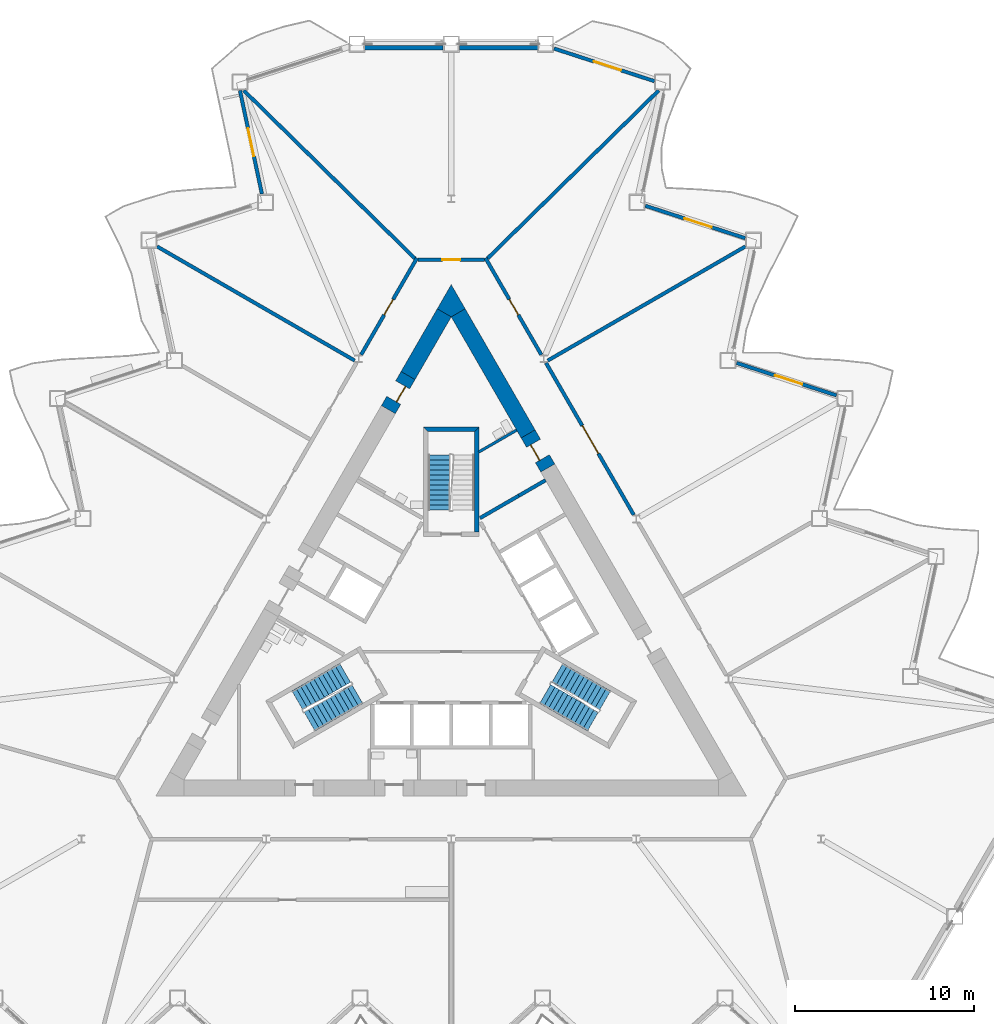
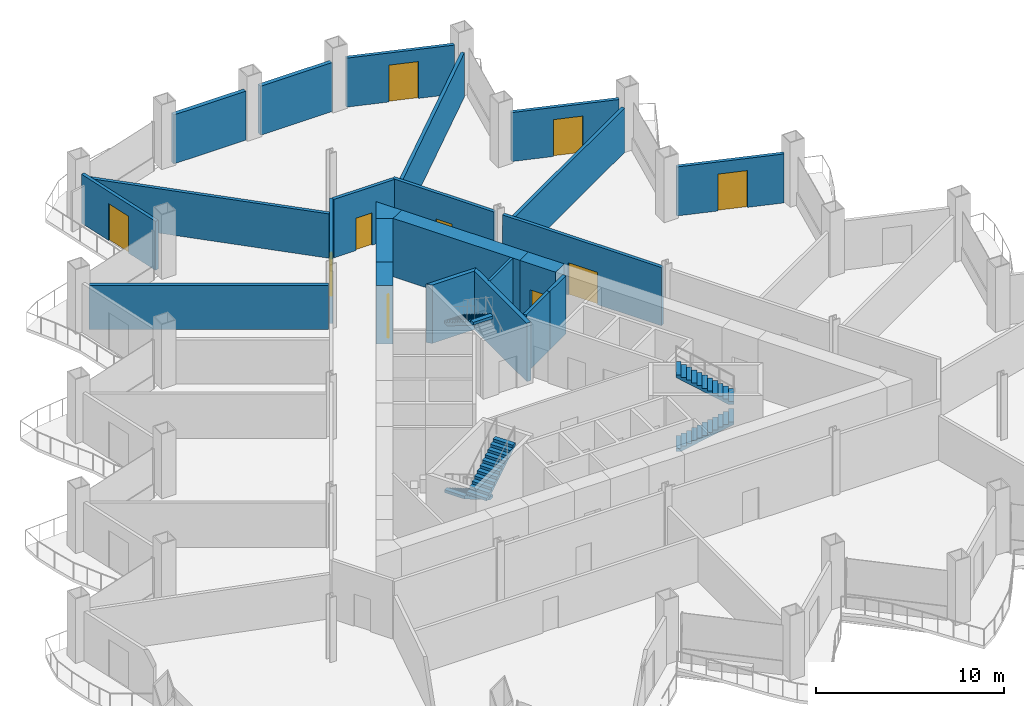
# One storey, part 13 of 21: 24 walls, 10 doors, 5 stair flights, 10 openings, 3 elements without a shape of their own.
"""IFC4 building model written with IfcOpenShell, lengths in metres."""

import ifcopenshell
import ifcopenshell.guid

model = None  # the IFC model being written
_history = None  # IfcOwnerHistory: only IFC2X3 demands one
_inside = {}  # id of a spatial element -> (the spatial element, [elements in it])
_under = {}  # id of a project, library or spatial element -> (it, [spatial elements below it])
_declared = {}  # id of a project -> (the project, [libraries it declares])
_typed = {}  # id of a type object -> (the type object, [elements of that type])
_made_of = {}  # id of a material, layer set ... -> (it, [elements and type objects made of it])


def new_model(schema):
    """Start an empty IFC model of exactly this schema.

    Asked for "IFC4X3", IfcOpenShell would pick the latest addendum, in which some entities
    have other attributes; the version numbers below select the first issue.
    IFC2X3 requires an IfcOwnerHistory on every rooted entity: one is made here for all.
    """
    global model, _history
    if schema == "IFC4X3":
        model = ifcopenshell.file(schema_version=(4, 3, 0, 0))
    else:
        model = ifcopenshell.file(schema=schema)
    _inside.clear()
    _under.clear()
    _declared.clear()
    _typed.clear()
    _made_of.clear()
    _history = None
    if model.schema == "IFC2X3":
        org = make("IfcOrganization", Name="unknown")
        user = make(
            "IfcPersonAndOrganization",
            ThePerson=make("IfcPerson", FamilyName="unknown"),
            TheOrganization=org,
        )
        app = make(
            "IfcApplication",
            ApplicationDeveloper=org,
            Version="unknown",
            ApplicationFullName="unknown",
            ApplicationIdentifier="unknown",
        )
        _history = make(
            "IfcOwnerHistory",
            OwningUser=user,
            OwningApplication=app,
            ChangeAction="ADDED",
            CreationDate=0,
        )
    return model


def make(cls, **values):
    """One entity of the class cls with the attributes given. An attribute that is None is left unset."""
    return model.create_entity(
        cls, **{name: value for name, value in values.items() if value is not None}
    )


def rooted(cls, **values):
    """An entity with a GlobalId (a new one), such as an element, a storey or a relation."""
    return make(cls, GlobalId=ifcopenshell.guid.new(), OwnerHistory=_history, **values)


def si_unit(unit_type, name, prefix=None):
    """IfcSIUnit, for example si_unit("LENGTHUNIT", "METRE", prefix="MILLI")."""
    return make("IfcSIUnit", UnitType=unit_type, Prefix=prefix, Name=name)


def assignment(units):
    """IfcUnitAssignment: the units of a project."""
    return None if units is None else make("IfcUnitAssignment", Units=units)


def point(xyz):
    """IfcCartesianPoint."""
    return None if xyz is None else make("IfcCartesianPoint", Coordinates=xyz)


def direction(xyz):
    """IfcDirection."""
    return None if xyz is None else make("IfcDirection", DirectionRatios=xyz)


def frame(location, z_axis=None, x_axis=None):
    """IfcAxis2Placement3D, a coordinate frame: its origin and axes. An axis left out is left unset."""
    return make(
        "IfcAxis2Placement3D",
        Location=point(location),
        Axis=direction(z_axis),
        RefDirection=direction(x_axis),
    )


def frame_2d(location, x_axis=None):
    """IfcAxis2Placement2D, a coordinate frame in the plane: its origin and x axis."""
    return make(
        "IfcAxis2Placement2D", Location=point(location), RefDirection=direction(x_axis)
    )


def origin():
    """The frame at (0, 0, 0) with its axes left unset."""
    return frame((0.0, 0.0, 0.0))


def place(relative_to, where):
    """IfcLocalPlacement: puts the frame where relative to a parent placement (None: the world)."""
    return make(
        "IfcLocalPlacement", PlacementRelTo=relative_to, RelativePlacement=where
    )


def context(
    kind, dimensions, precision=None, world=None, true_north=None, identifier=None
):
    """IfcGeometricRepresentationContext, for example the 3D "Model" context."""
    return make(
        "IfcGeometricRepresentationContext",
        ContextIdentifier=identifier,
        ContextType=kind,
        CoordinateSpaceDimension=dimensions,
        Precision=precision,
        WorldCoordinateSystem=world,
        TrueNorth=true_north,
    )


def subcontext(parent, identifier, kind, view, scale=None):
    """IfcGeometricRepresentationSubContext, for example "Body" below "Model"."""
    return make(
        "IfcGeometricRepresentationSubContext",
        ContextIdentifier=identifier,
        ContextType=kind,
        ParentContext=parent,
        TargetScale=scale,
        TargetView=view,
    )


def project(units=None, contexts=None):
    """IfcProject with its units and contexts."""
    return rooted(
        "IfcProject",
        Name="project",
        RepresentationContexts=contexts,
        UnitsInContext=assignment(units),
    )


def spatial(cls, under=None, at=None, **own):
    """A site, building, storey or space (cls), placed at a placement, below another one or the project."""
    s = rooted(cls, ObjectPlacement=at, **own)
    if under is not None:
        _under.setdefault(under.id(), (under, []))[1].append(s)
    return s


def polyline(points):
    """IfcPolyline through the points."""
    return make("IfcPolyline", Points=[point(p) for p in points])


def profile(cls, at=None, kind="AREA", **sizes):
    """A parametric profile (cls). Its sizes go by their IFC names, for example OverallWidth=200.0."""
    return make(cls, ProfileType=kind, Position=at, **sizes)


def rectangle(**sizes):
    """IfcRectangleProfileDef."""
    return profile("IfcRectangleProfileDef", **sizes)


def outline(outer, holes=None, kind="AREA"):
    """IfcArbitraryClosedProfileDef: a profile drawn as a closed curve; with holes, ...WithVoids."""
    if holes is None:
        return make("IfcArbitraryClosedProfileDef", ProfileType=kind, OuterCurve=outer)
    return make(
        "IfcArbitraryProfileDefWithVoids",
        ProfileType=kind,
        OuterCurve=outer,
        InnerCurves=holes,
    )


def extrude(swept, where, along, depth):
    """IfcExtrudedAreaSolid: the profile swept, set in the frame where, extruded along a direction by depth."""
    return make(
        "IfcExtrudedAreaSolid",
        SweptArea=swept,
        Position=where,
        ExtrudedDirection=direction(along),
        Depth=depth,
    )


def shape(context_of_items, identifier, shape_type, items):
    """IfcShapeRepresentation: the items that make up one representation, for example the "Body"."""
    return make(
        "IfcShapeRepresentation",
        ContextOfItems=context_of_items,
        RepresentationIdentifier=identifier,
        RepresentationType=shape_type,
        Items=items,
    )


def material(Name=None, Category=None):
    """IfcMaterial."""
    return make("IfcMaterial", Name=Name, Category=Category)


def layer(
    of_material, thickness, ventilated=None, Name=None, Category=None, Priority=None
):
    """IfcMaterialLayer: one layer of a wall or slab, of a material (None: an air gap)."""
    return make(
        "IfcMaterialLayer",
        Material=of_material,
        LayerThickness=thickness,
        IsVentilated=ventilated,
        Name=Name,
        Category=Category,
        Priority=Priority,
    )


def layer_set(layers, Name=None):
    """IfcMaterialLayerSet."""
    return make("IfcMaterialLayerSet", MaterialLayers=layers, LayerSetName=Name)


def made_of(thing, what):
    """Note that an element or type object is made of a material, layer set ...; save() writes the relation."""
    if what is not None:
        _made_of.setdefault(what.id(), (what, []))[1].append(thing)
    return thing


def type_object(cls, material=None, **own):
    """A type object (cls), such as IfcWallType, which elements share."""
    return made_of(rooted(cls, **own), material)


def element(
    cls,
    number,
    at=None,
    inside=None,
    cuts=None,
    type_object=None,
    material=None,
    context=None,
    identifier="Body",
    shape_type=None,
    held_by="IfcProductDefinitionShape",
    body=None,
    shapes=None,
    **own,
):
    """One element of the class cls, such as IfcWall. Its Tag is "e" and its number.

    at: its placement. inside: the storey or other place that contains it. cuts: it is an
    opening in that element (IfcRelVoidsElement). A single representation is given by context,
    identifier, shape_type and body (its items); several are given by shapes. held_by: the class
    of the entity that holds the representations. save() writes the other relations.
    """
    e = rooted(cls, Tag="e%d" % number, ObjectPlacement=at, **own)
    if body is not None:
        shapes = [shape(context, identifier, shape_type, body)]
    if shapes is not None:
        e.Representation = make(held_by, Representations=shapes)
    if inside is not None:
        _inside.setdefault(inside.id(), (inside, []))[1].append(e)
    if cuts is not None:
        rooted(
            "IfcRelVoidsElement", RelatingBuildingElement=cuts, RelatedOpeningElement=e
        )
    if type_object is not None:
        _typed.setdefault(type_object.id(), (type_object, []))[1].append(e)
    return made_of(e, material)


def fill(opening, filler):
    """IfcRelFillsElement: the door or window that sits in an opening."""
    return rooted(
        "IfcRelFillsElement",
        RelatingOpeningElement=opening,
        RelatedBuildingElement=filler,
    )


def aggregate(whole, parts):
    """IfcRelAggregates: a whole, such as a stair, and the parts it consists of."""
    return rooted("IfcRelAggregates", RelatingObject=whole, RelatedObjects=parts)


def save(model, path):
    """Write the relations noted so far, then the file.

    IfcRelAggregates (storeys below a building ...), IfcRelContainedInSpatialStructure (elements
    in a storey), IfcRelDefinesByType, IfcRelAssociatesMaterial and IfcRelDeclares: one each for
    every whole, place, type object, material and project.
    """
    for whole, parts in _under.values():
        aggregate(whole, parts)
    for where, things in _inside.values():
        rooted(
            "IfcRelContainedInSpatialStructure",
            RelatedElements=things,
            RelatingStructure=where,
        )
    for kind, things in _typed.values():
        rooted("IfcRelDefinesByType", RelatedObjects=things, RelatingType=kind)
    for what, things in _made_of.values():
        rooted("IfcRelAssociatesMaterial", RelatedObjects=things, RelatingMaterial=what)
    for by, libraries in _declared.values():
        rooted("IfcRelDeclares", RelatingContext=by, RelatedDefinitions=libraries)
    model.write(path)


model = new_model("IFC4")

# Units and contexts
model_context = context("Model", 3, precision=1e-05, world=origin(), true_north=direction((0.0, 1.0)))
body_context = subcontext(model_context, "Body", "Model", "MODEL_VIEW")
ifc_project = project(units=[si_unit("LENGTHUNIT", "METRE"), si_unit("AREAUNIT", "SQUARE_METRE"), si_unit("VOLUMEUNIT", "CUBIC_METRE"), si_unit("PLANEANGLEUNIT", "RADIAN"), si_unit("MASSUNIT", "GRAM", prefix="KILO")], contexts=[model_context])

# Site, building, storey
site_placement = place(None, origin())
site = spatial("IfcSite", under=ifc_project, at=site_placement, CompositionType="ELEMENT")
building_placement = place(site_placement, origin())
building = spatial("IfcBuilding", under=site, at=building_placement, Name="Cormorant Prow Tower", CompositionType="ELEMENT")
storey_placement = place(building_placement, frame((0.0, 0.0, 137.39990234375)))
storey = spatial("IfcBuildingStorey", under=building, at=storey_placement, Name="L29", CompositionType="ELEMENT", Elevation=137.39990234375)

# Walls
ifc_material_1 = material(Name="Gypsum board partition")
ifc_layer_1 = layer(ifc_material_1, 0.14990234375)
ifc_layer_set_1 = layer_set([ifc_layer_1], Name="Gypsum board partition")
wall_type_1 = type_object("IfcWallType", Name="Core partition 150", PredefinedType="PARTITIONING", material=ifc_layer_set_1)
wall_1_placement = place(storey_placement, frame((3.654296875, 10.923095703125, 0.0), z_axis=(0.0, 0.0, 1.0), x_axis=(-0.865974546186, -0.5000880776, 0.0)))
element("IfcWall", 1, at=wall_1_placement, inside=storey, type_object=wall_type_1, Name="Service room partition", PredefinedType="PARTITIONING", context=body_context, shape_type="SweptSolid", body=[
    extrude(rectangle(XDim=2.44677734375, YDim=0.14990234375, at=frame_2d((1.223388671875, 0.0))), origin(), (0.0, 0.0, 1.0), 3.800048828125),
])
ifc_material_2 = material(Name="Concrete 8000 psi", Category="concrete")
ifc_layer_2 = layer(ifc_material_2, 0.89990234375)
ifc_layer_set_2 = layer_set([ifc_layer_2], Name="Concrete 8000 psi")
wall_type_2 = type_object("IfcWallType", Name="Core shear wall 900", PredefinedType="SHEAR", material=ifc_layer_set_2)
wall_2_placement = place(storey_placement, frame((4.2958984375, 10.7119140625, 0.0), z_axis=(0.0, 0.0, 1.0), x_axis=(-0.500011000363, 0.866019052629, 0.0)))
element("IfcWall", 2, at=wall_2_placement, inside=storey, type_object=wall_type_2, Name="Core wall", PredefinedType="SHEAR", context=body_context, shape_type="SweptSolid", body=[
    extrude(rectangle(XDim=7.812255859375, YDim=0.89990234375, at=frame_2d((3.90625, 0.0))), origin(), (0.0, 0.0, 1.0), 3.800048828125),
])
wall_3_placement = place(storey_placement, frame((-0.3896484375, 17.4775390625, 0.0), z_axis=(0.0, 0.0, 1.0), x_axis=(-0.500046330384, -0.865998653272, 0.0)))
element("IfcWall", 3, at=wall_3_placement, inside=storey, type_object=wall_type_2, Name="Core wall", PredefinedType="SHEAR", context=body_context, shape_type="SweptSolid", body=[
    extrude(rectangle(XDim=4.04541015625, YDim=0.89990234375, at=frame_2d((2.022705078125, 0.0))), origin(), (0.0, 0.0, 1.0), 3.800048828125),
])
wall_4_placement = place(storey_placement, origin())
element("IfcWall", 4, at=wall_4_placement, inside=storey, type_object=wall_type_2, Name="Core wall corner", PredefinedType="SHEAR", context=body_context, shape_type="SweptSolid", body=[
    extrude(outline(polyline([(-0.779296875, 17.70263671875), (0.0, 19.052490234375), (0.779296875, 17.70263671875), (0.0, 17.252685546875), (-0.779296875, 17.70263671875)])), origin(), (0.0, 0.0, 1.0), 3.800048828125),
])

# Wall, opening, door
wall_5_placement = place(storey_placement, frame((5.39599609375, 8.806396484375, 0.0), z_axis=(0.0, 0.0, 1.0), x_axis=(-0.499981787252, 0.866035918664, 0.0)))
wall_5 = element("IfcWall", 5, at=wall_5_placement, inside=storey, type_object=wall_type_2, Name="Core wall door panel", PredefinedType="SHEAR", context=body_context, shape_type="SweptSolid", body=[
    extrude(rectangle(XDim=2.2001953125, YDim=0.89990234375, at=frame_2d((1.10009765625, 0.0))), origin(), (0.0, 0.0, 1.0), 3.800048828125),
])
opening_1_placement = place(wall_5_placement, frame((0.60009765625, 0.0, 0.0)))
opening_1 = element("IfcOpeningElement", 6, at=opening_1_placement, cuts=wall_5, Name="Opening L29-C21", PredefinedType="OPENING", context=body_context, shape_type="SweptSolid", body=[
    extrude(rectangle(XDim=1.0, YDim=2.10009765625, at=frame_2d((0.5, 1.050048828125))), frame((0.0, 0.4599609375, 0.0), z_axis=(0.0, -1.0, 0.0), x_axis=(1.0, 0.0, 0.0)), (0.0, 0.0, 1.0), 0.919921875),
])
ifc_material_3 = material(Name="Painted steel", Category="steel")
door_type_1 = type_object("IfcDoorType", Name="Service door 1000x2100", OperationType="NOTDEFINED", PredefinedType="DOOR", material=ifc_material_3)
door_1_placement = place(opening_1_placement, origin())
door_1 = element("IfcDoor", 7, at=door_1_placement, inside=storey, type_object=door_type_1, Name="Core door, Electrical room", OperationType="SINGLE_SWING_RIGHT", OverallHeight=2.10009765625, OverallWidth=1.0, PredefinedType="DOOR", context=body_context, shape_type="SweptSolid", body=[
    extrude(rectangle(XDim=1.0, YDim=2.10009765625, at=frame_2d((0.5, 1.050048828125))), frame((0.0, 0.205078125, 0.0), z_axis=(0.0, -1.0, 0.0), x_axis=(1.0, 0.0, 0.0)), (0.0, 0.0, 1.0), 0.050048828125),
])
fill(opening_1, door_1)

wall_6_placement = place(storey_placement, frame((-2.41259765625, 13.97412109375, 0.0), z_axis=(0.0, 0.0, 1.0), x_axis=(-0.499946605688, -0.86605622881, 0.0)))
wall_6 = element("IfcWall", 8, at=wall_6_placement, inside=storey, type_object=wall_type_2, Name="Core wall door panel", PredefinedType="SHEAR", context=body_context, shape_type="SweptSolid", body=[
    extrude(rectangle(XDim=2.199951171875, YDim=0.89990234375, at=frame_2d((1.10009765625, 0.0))), origin(), (0.0, 0.0, 1.0), 3.800048828125),
])
opening_2_placement = place(wall_6_placement, frame((0.60009765625, 0.0, 0.0)))
opening_2 = element("IfcOpeningElement", 9, at=opening_2_placement, cuts=wall_6, Name="Opening L29-C22", PredefinedType="OPENING", context=body_context, shape_type="SweptSolid", body=[
    extrude(rectangle(XDim=1.0, YDim=2.10009765625, at=frame_2d((0.5, 1.050048828125))), frame((0.0, 0.4599609375, 0.0), z_axis=(0.0, -1.0, 0.0), x_axis=(1.0, 0.0, 0.0)), (0.0, 0.0, 1.0), 0.919921875),
])
door_2_placement = place(opening_2_placement, origin())
door_2 = element("IfcDoor", 10, at=door_2_placement, inside=storey, type_object=door_type_1, Name="Core door, Toilets (men) L29", OperationType="SINGLE_SWING_RIGHT", OverallHeight=2.10009765625, OverallWidth=1.0, PredefinedType="DOOR", context=body_context, shape_type="SweptSolid", body=[
    extrude(rectangle(XDim=1.0, YDim=2.10009765625, at=frame_2d((0.5, 1.050048828125))), frame((0.0, 0.205078125, 0.0), z_axis=(0.0, -1.0, 0.0), x_axis=(1.0, 0.0, 0.0)), (0.0, 0.0, 1.0), 0.050048828125),
])
fill(opening_2, door_2)

ifc_material_4 = material(Name="Gypsum board corridor wall")
ifc_layer_3 = layer(ifc_material_4, 0.199951171875)
ifc_layer_set_3 = layer_set([ifc_layer_3], Name="Gypsum board corridor wall")
wall_type_3 = type_object("IfcWallType", Name="Corridor wall 200", PredefinedType="PARTITIONING", material=ifc_layer_set_3)
wall_7_placement = place(storey_placement, frame((5.29541015625, 14.680419921875, 0.0), z_axis=(0.0, 0.0, 1.0), x_axis=(0.500012035596, -0.866018454918, 0.0)))
wall_7 = element("IfcWall", 11, at=wall_7_placement, inside=storey, type_object=wall_type_3, Name="Corridor wall", PredefinedType="PARTITIONING", context=body_context, shape_type="SweptSolid", body=[
    extrude(rectangle(XDim=9.803466796875, YDim=0.199951171875, at=frame_2d((4.90185546875, 0.0))), origin(), (0.0, 0.0, 1.0), 3.800048828125),
])
opening_3_placement = place(wall_7_placement, frame((4.0517578125, 0.0, 0.0)))
opening_3 = element("IfcOpeningElement", 12, at=opening_3_placement, cuts=wall_7, Name="Opening L29-F07", PredefinedType="OPENING", context=body_context, shape_type="SweptSolid", body=[
    extrude(rectangle(XDim=1.800048828125, YDim=2.10009765625, at=frame_2d((0.89990234375, 1.050048828125))), frame((0.0, 0.10986328125, 0.0), z_axis=(0.0, -1.0, 0.0), x_axis=(1.0, 0.0, 0.0)), (0.0, 0.0, 1.0), 0.219970703125),
])
ifc_material_5 = material(Name="Timber door leaf", Category="wood")
door_type_2 = type_object("IfcDoorType", Name="Double door 1800x2100", OperationType="DOUBLE_DOOR_SINGLE_SWING", PredefinedType="DOOR", material=ifc_material_5)
door_3_placement = place(opening_3_placement, origin())
door_3 = element("IfcDoor", 13, at=door_3_placement, inside=storey, type_object=door_type_2, Name="Trading room door", OperationType="DOUBLE_DOOR_SINGLE_SWING", OverallHeight=2.10009765625, OverallWidth=1.800048828125, PredefinedType="DOOR", context=body_context, shape_type="SweptSolid", body=[
    extrude(rectangle(XDim=1.800048828125, YDim=2.10009765625, at=frame_2d((0.89990234375, 1.050048828125))), frame((0.0, 0.02490234375, 0.0), z_axis=(0.0, -1.0, 0.0), x_axis=(1.0, 0.0, 0.0)), (0.0, 0.0, 1.0), 0.050048828125),
])
fill(opening_3, door_3)

wall_8_placement = place(storey_placement, frame((-5.032958984375, 15.13525390625, 0.0), z_axis=(0.0, 0.0, 1.0), x_axis=(0.499980978912, 0.866036385336, 0.0)))
wall_8 = element("IfcWall", 14, at=wall_8_placement, inside=storey, type_object=wall_type_3, Name="Corridor wall", PredefinedType="PARTITIONING", context=body_context, shape_type="SweptSolid", body=[
    extrude(rectangle(XDim=6.239990234375, YDim=0.199951171875, at=frame_2d((3.1201171875, 0.0))), origin(), (0.0, 0.0, 1.0), 3.800048828125),
])
opening_4_placement = place(wall_8_placement, frame((2.569580078125, 0.0, 0.0)))
opening_4 = element("IfcOpeningElement", 15, at=opening_4_placement, cuts=wall_8, Name="Opening L29-F10", PredefinedType="OPENING", context=body_context, shape_type="SweptSolid", body=[
    extrude(rectangle(XDim=1.0, YDim=2.10009765625, at=frame_2d((0.5, 1.050048828125))), frame((0.0, 0.10986328125, 0.0), z_axis=(0.0, -1.0, 0.0), x_axis=(1.0, 0.0, 0.0)), (0.0, 0.0, 1.0), 0.219970703125),
])
ifc_material_6 = material(Name="Timber door leaf", Category="wood")
door_type_3 = type_object("IfcDoorType", Name="Office door 1000x2100", OperationType="NOTDEFINED", PredefinedType="DOOR", material=ifc_material_6)
door_4_placement = place(opening_4_placement, origin())
door_4 = element("IfcDoor", 16, at=door_4_placement, inside=storey, type_object=door_type_3, Name="Co-working room door", OperationType="SINGLE_SWING_RIGHT", OverallHeight=2.10009765625, OverallWidth=1.0, PredefinedType="DOOR", context=body_context, shape_type="SweptSolid", body=[
    extrude(rectangle(XDim=1.0, YDim=2.10009765625, at=frame_2d((0.5, 1.050048828125))), frame((0.0, 0.02490234375, 0.0), z_axis=(0.0, -1.0, 0.0), x_axis=(1.0, 0.0, 0.0)), (0.0, 0.0, 1.0), 0.050048828125),
])
fill(opening_4, door_4)

wall_9_placement = place(storey_placement, frame((1.9130859375, 20.539306640625, 0.0), z_axis=(0.0, 0.0, 1.0), x_axis=(0.499980978912, -0.866036385336, 0.0)))
wall_9 = element("IfcWall", 17, at=wall_9_placement, inside=storey, type_object=wall_type_3, Name="Corridor wall", PredefinedType="PARTITIONING", context=body_context, shape_type="SweptSolid", body=[
    extrude(rectangle(XDim=6.239990234375, YDim=0.199951171875, at=frame_2d((3.1201171875, 0.0))), origin(), (0.0, 0.0, 1.0), 3.800048828125),
])
opening_5_placement = place(wall_9_placement, frame((2.67041015625, 0.0, 0.0)))
opening_5 = element("IfcOpeningElement", 18, at=opening_5_placement, cuts=wall_9, Name="Opening L29-F08", PredefinedType="OPENING", context=body_context, shape_type="SweptSolid", body=[
    extrude(rectangle(XDim=1.0, YDim=2.10009765625, at=frame_2d((0.5, 1.050048828125))), frame((0.0, 0.10986328125, 0.0), z_axis=(0.0, -1.0, 0.0), x_axis=(1.0, 0.0, 0.0)), (0.0, 0.0, 1.0), 0.219970703125),
])
door_5_placement = place(opening_5_placement, origin())
door_5 = element("IfcDoor", 19, at=door_5_placement, inside=storey, type_object=door_type_3, Name="Open-plan office door", OperationType="SINGLE_SWING_RIGHT", OverallHeight=2.10009765625, OverallWidth=1.0, PredefinedType="DOOR", context=body_context, shape_type="SweptSolid", body=[
    extrude(rectangle(XDim=1.0, YDim=2.10009765625, at=frame_2d((0.5, 1.050048828125))), frame((0.0, 0.02490234375, 0.0), z_axis=(0.0, -1.0, 0.0), x_axis=(1.0, 0.0, 0.0)), (0.0, 0.0, 1.0), 0.050048828125),
])
fill(opening_5, door_5)

wall_10_placement = place(storey_placement, frame((-1.863037109375, 20.45263671875, 0.0), z_axis=(0.0, 0.0, 1.0), x_axis=(1.0, 0.0, 0.0)))
wall_10 = element("IfcWall", 20, at=wall_10_placement, inside=storey, type_object=wall_type_3, Name="Corridor wall", PredefinedType="PARTITIONING", context=body_context, shape_type="SweptSolid", body=[
    extrude(rectangle(XDim=3.72607421875, YDim=0.199951171875, at=frame_2d((1.863037109375, 0.0))), origin(), (0.0, 0.0, 1.0), 3.800048828125),
])
opening_6_placement = place(wall_10_placement, frame((1.363037109375, 0.0, 0.0)))
opening_6 = element("IfcOpeningElement", 21, at=opening_6_placement, cuts=wall_10, Name="Opening L29-F09", PredefinedType="OPENING", context=body_context, shape_type="SweptSolid", body=[
    extrude(rectangle(XDim=1.0, YDim=2.10009765625, at=frame_2d((0.5, 1.050048828125))), frame((0.0, 0.10986328125, 0.0), z_axis=(0.0, -1.0, 0.0), x_axis=(1.0, 0.0, 0.0)), (0.0, 0.0, 1.0), 0.219970703125),
])
door_6_placement = place(opening_6_placement, origin())
door_6 = element("IfcDoor", 22, at=door_6_placement, inside=storey, type_object=door_type_3, Name="Tenant suite door", OperationType="SINGLE_SWING_RIGHT", OverallHeight=2.10009765625, OverallWidth=1.0, PredefinedType="DOOR", context=body_context, shape_type="SweptSolid", body=[
    extrude(rectangle(XDim=1.0, YDim=2.10009765625, at=frame_2d((0.5, 1.050048828125))), frame((0.0, 0.02490234375, 0.0), z_axis=(0.0, -1.0, 0.0), x_axis=(1.0, 0.0, 0.0)), (0.0, 0.0, 1.0), 0.050048828125),
])
fill(opening_6, door_6)

# Walls
ifc_material_7 = material(Name="Gypsum board demising wall")
ifc_layer_4 = layer(ifc_material_7, 0.199951171875)
ifc_layer_set_4 = layer_set([ifc_layer_4], Name="Gypsum board demising wall")
wall_type_4 = type_object("IfcWallType", Name="Demising wall 200", PredefinedType="PARTITIONING", material=ifc_layer_set_4)
for number, where, z_axis, x_axis, name in (
    (23, (2.034423828125, 20.522705078125, 0.0), (0.0, 0.0, 1.0), (0.713664516359, 0.700487657343, 0.0), "Demising wall"),
    (24, (-11.594482421875, 29.90625, 0.0), (0.0, 0.0, 1.0), (0.713664516359, -0.700487657343, 0.0), "Demising wall"),
):
    element("IfcWall", number, at=place(storey_placement, frame(where, z_axis=z_axis, x_axis=x_axis)), inside=storey, type_object=wall_type_4, Name=name, PredefinedType="PARTITIONING", context=body_context, shape_type="SweptSolid", body=[
        extrude(rectangle(XDim=13.395751953125, YDim=0.199951171875, at=frame_2d((6.69775390625, 0.0))), origin(), (0.0, 0.0, 1.0), 2.885498046875),
    ])
for number, where, z_axis, x_axis, name in (
    (25, (5.3916015625, 14.808837890625, 0.0), (0.0, 0.0, 1.0), (0.866023321739, 0.500003606191, 0.0), "Demising wall"),
    (26, (-16.436279296875, 21.185546875, 0.0), (0.0, 0.0, 1.0), (0.866023321739, -0.500003606191, 0.0), "Demising wall"),
):
    element("IfcWall", number, at=place(storey_placement, frame(where, z_axis=z_axis, x_axis=x_axis)), inside=storey, type_object=wall_type_4, Name=name, PredefinedType="PARTITIONING", context=body_context, shape_type="SweptSolid", body=[
        extrude(rectangle(XDim=12.75341796875, YDim=0.199951171875, at=frame_2d((6.376708984375, 0.0))), origin(), (0.0, 0.0, 1.0), 2.885498046875),
    ])
ifc_material_8 = material(Name="Concrete 8000 psi", Category="concrete")
ifc_layer_5 = layer(ifc_material_8, 0.199951171875)
ifc_layer_set_5 = layer_set([ifc_layer_5], Name="Concrete 8000 psi")
wall_type_5 = type_object("IfcWallType", Name="Lift shaft wall 200", PredefinedType="SHEAR", material=ifc_layer_set_5)
wall_11_placement = place(storey_placement, origin())
element("IfcWall", 27, at=wall_11_placement, inside=storey, type_object=wall_type_5, Name="Lift shaft walls, ENE block", PredefinedType="SHEAR", context=body_context, shape_type="SweptSolid", body=[
    extrude(outline(polyline([(1.560546875, 6.09716796875), (3.730712890625, 7.35009765625), (3.830810546875, 7.177001953125), (1.660400390625, 5.923828125), (1.560546875, 6.09716796875)])), origin(), (0.0, 0.0, 1.0), 3.800048828125),
])
wall_12_placement = place(storey_placement, frame((3.78076171875, 7.263427734375, 0.0), z_axis=(0.0, 0.0, 1.0), x_axis=(0.865963414263, 0.500107353632, 0.0)))
element("IfcWall", 28, at=wall_12_placement, inside=storey, type_object=wall_type_5, Name="Store side wall", PredefinedType="SHEAR", context=body_context, shape_type="SweptSolid", body=[
    extrude(rectangle(XDim=1.72021484375, YDim=0.199951171875, at=frame_2d((0.860107421875, 0.0))), origin(), (0.0, 0.0, 1.0), 3.800048828125),
])
ifc_material_9 = material(Name="Concrete 8000 psi", Category="concrete")
ifc_layer_6 = layer(ifc_material_9, 0.25)
ifc_layer_set_6 = layer_set([ifc_layer_6], Name="Concrete 8000 psi")
wall_type_6 = type_object("IfcWallType", Name="Stair wall 250", PredefinedType="SHEAR", material=ifc_layer_set_6)
wall_13_placement = place(storey_placement, origin())
element("IfcWall", 29, at=wall_13_placement, inside=storey, type_object=wall_type_6, Name="Stair ST3 enclosure wall (flank)", PredefinedType="SHEAR", context=body_context, shape_type="SweptSolid", body=[
    extrude(outline(polyline([(1.5439453125, 5.23681640625), (1.5439453125, 11.0869140625), (1.2939453125, 10.8369140625), (1.2939453125, 5.23681640625), (1.5439453125, 5.23681640625)])), origin(), (0.0, 0.0, 1.0), 3.800048828125),
])
wall_14_placement = place(storey_placement, origin())
element("IfcWall", 30, at=wall_14_placement, inside=storey, type_object=wall_type_6, Name="Stair ST3 enclosure wall (end)", PredefinedType="SHEAR", context=body_context, shape_type="SweptSolid", body=[
    extrude(outline(polyline([(1.5439453125, 11.0869140625), (-1.5439453125, 11.0869140625), (-1.2939453125, 10.8369140625), (1.2939453125, 10.8369140625), (1.5439453125, 11.0869140625)])), origin(), (0.0, 0.0, 1.0), 3.800048828125),
])
ifc_material_10 = material(Name="Terracotta", Category="masonry")
ifc_layer_7 = layer(ifc_material_10, 0.25)
ifc_layer_set_7 = layer_set([ifc_layer_7], Name="Terracotta")
wall_type_7 = type_object("IfcWallType", Name="Terracotta bay wall 250", PredefinedType="SOLIDWALL", material=ifc_layer_set_7)
for number, where, z_axis, x_axis, name in (
    (31, (4.87890625, 32.299072265625, 0.0), (0.0, 0.0, 1.0), (-1.0, 0.0, 0.0), "Terracotta bay wall N00"),
    (32, (-0.449951171875, 32.299072265625, 0.0), (0.0, 0.0, 1.0), (-1.0, 0.0, 0.0), "Terracotta bay wall N01"),
):
    element("IfcWall", number, at=place(storey_placement, frame(where, z_axis=z_axis, x_axis=x_axis)), inside=storey, type_object=wall_type_7, Name=name, PredefinedType="SOLIDWALL", context=body_context, shape_type="SweptSolid", body=[
        extrude(rectangle(XDim=4.428955078125, YDim=0.25, at=frame_2d((2.21435546875, 0.0))), origin(), (0.0, 0.0, 1.0), 3.18896484375),
    ])

# Wall, opening, door
ifc_material_11 = material(Name="Terracotta", Category="masonry")
ifc_layer_8 = layer(ifc_material_11, 0.199951171875)
ifc_layer_set_8 = layer_set([ifc_layer_8], Name="Terracotta")
wall_type_8 = type_object("IfcWallType", Name="Terracotta jamb wall 200", PredefinedType="SOLIDWALL", material=ifc_layer_set_8)
wall_15_placement = place(storey_placement, frame((21.521484375, 12.864990234375, 0.0), z_axis=(0.0, 0.0, 1.0), x_axis=(-0.951049976734, 0.309037120351, 0.0)))
wall_15 = element("IfcWall", 33, at=wall_15_placement, inside=storey, type_object=wall_type_8, Name="Terracotta jamb wall ENE05", PredefinedType="SOLIDWALL", context=body_context, shape_type="SweptSolid", body=[
    extrude(rectangle(XDim=5.8642578125, YDim=0.199951171875, at=frame_2d((2.93212890625, 0.0))), origin(), (0.0, 0.0, 1.0), 3.18896484375),
])
opening_7_placement = place(wall_15_placement, frame((2.005126953125, 0.0, 0.0)))
opening_7 = element("IfcOpeningElement", 34, at=opening_7_placement, cuts=wall_15, Name="Opening ED29.08", PredefinedType="OPENING", context=body_context, shape_type="SweptSolid", body=[
    extrude(rectangle(XDim=1.60009765625, YDim=2.39990234375, at=frame_2d((0.800048828125, 1.199951171875))), frame((0.0, 0.10986328125, 0.0), z_axis=(0.0, -1.0, 0.0), x_axis=(1.0, 0.0, 0.0)), (0.0, 0.0, 1.0), 0.219970703125),
])
ifc_material_12 = material(Name="Aluminium 6063-T6", Category="aluminium")
door_type_4 = type_object("IfcDoorType", Name="Balcony door 1600x2400", OperationType="DOUBLE_DOOR_SINGLE_SWING", PredefinedType="DOOR", material=ifc_material_12)
door_7_placement = place(opening_7_placement, origin())
door_7 = element("IfcDoor", 35, at=door_7_placement, inside=storey, type_object=door_type_4, Name="Balcony door ENE05 ED29.08", OperationType="DOUBLE_DOOR_SINGLE_SWING", OverallHeight=2.39990234375, OverallWidth=1.60009765625, PredefinedType="DOOR", context=body_context, shape_type="SweptSolid", body=[
    extrude(rectangle(XDim=1.60009765625, YDim=2.39990234375, at=frame_2d((0.800048828125, 1.199951171875))), frame((0.0, 0.02490234375, 0.0), z_axis=(0.0, -1.0, 0.0), x_axis=(1.0, 0.0, 0.0)), (0.0, 0.0, 1.0), 0.050048828125),
])
fill(opening_7, door_7)

wall_16_placement = place(storey_placement, frame((16.425048828125, 21.6474609375, 0.0), z_axis=(0.0, 0.0, 1.0), x_axis=(-0.951060665462, 0.309004224261, 0.0)))
wall_16 = element("IfcWall", 36, at=wall_16_placement, inside=storey, type_object=wall_type_8, Name="Terracotta jamb wall ENE07", PredefinedType="SOLIDWALL", context=body_context, shape_type="SweptSolid", body=[
    extrude(rectangle(XDim=5.867919921875, YDim=0.199951171875, at=frame_2d((2.93408203125, 0.0))), origin(), (0.0, 0.0, 1.0), 3.18896484375),
])
opening_8_placement = place(wall_16_placement, frame((1.971435546875, 0.0, 0.0)))
opening_8 = element("IfcOpeningElement", 37, at=opening_8_placement, cuts=wall_16, Name="Opening ED29.09", PredefinedType="OPENING", context=body_context, shape_type="SweptSolid", body=[
    extrude(rectangle(XDim=1.60009765625, YDim=2.39990234375, at=frame_2d((0.800048828125, 1.199951171875))), frame((0.0, 0.10986328125, 0.0), z_axis=(0.0, -1.0, 0.0), x_axis=(1.0, 0.0, 0.0)), (0.0, 0.0, 1.0), 0.219970703125),
])
door_8_placement = place(opening_8_placement, origin())
door_8 = element("IfcDoor", 38, at=door_8_placement, inside=storey, type_object=door_type_4, Name="Balcony door ENE07 ED29.09", OperationType="DOUBLE_DOOR_SINGLE_SWING", OverallHeight=2.39990234375, OverallWidth=1.60009765625, PredefinedType="DOOR", context=body_context, shape_type="SweptSolid", body=[
    extrude(rectangle(XDim=1.60009765625, YDim=2.39990234375, at=frame_2d((0.800048828125, 1.199951171875))), frame((0.0, 0.02490234375, 0.0), z_axis=(0.0, -1.0, 0.0), x_axis=(1.0, 0.0, 0.0)), (0.0, 0.0, 1.0), 0.050048828125),
])
fill(opening_8, door_8)

wall_17_placement = place(storey_placement, frame((11.360595703125, 30.41943359375, 0.0), z_axis=(0.0, 0.0, 1.0), x_axis=(-0.951049866095, 0.309037460836, 0.0)))
wall_17 = element("IfcWall", 39, at=wall_17_placement, inside=storey, type_object=wall_type_8, Name="Terracotta jamb wall ENE09", PredefinedType="SOLIDWALL", context=body_context, shape_type="SweptSolid", body=[
    extrude(rectangle(XDim=5.9052734375, YDim=0.199951171875, at=frame_2d((2.95263671875, 0.0))), origin(), (0.0, 0.0, 1.0), 3.18896484375),
])
opening_9_placement = place(wall_17_placement, frame((1.971435546875, 0.0, 0.0)))
opening_9 = element("IfcOpeningElement", 40, at=opening_9_placement, cuts=wall_17, Name="Opening ED29.10", PredefinedType="OPENING", context=body_context, shape_type="SweptSolid", body=[
    extrude(rectangle(XDim=1.60009765625, YDim=2.39990234375, at=frame_2d((0.800048828125, 1.199951171875))), frame((0.0, 0.10986328125, 0.0), z_axis=(0.0, -1.0, 0.0), x_axis=(1.0, 0.0, 0.0)), (0.0, 0.0, 1.0), 0.219970703125),
])
door_9_placement = place(opening_9_placement, origin())
door_9 = element("IfcDoor", 41, at=door_9_placement, inside=storey, type_object=door_type_4, Name="Balcony door ENE09 ED29.10", OperationType="DOUBLE_DOOR_SINGLE_SWING", OverallHeight=2.39990234375, OverallWidth=1.60009765625, PredefinedType="DOOR", context=body_context, shape_type="SweptSolid", body=[
    extrude(rectangle(XDim=1.60009765625, YDim=2.39990234375, at=frame_2d((0.800048828125, 1.199951171875))), frame((0.0, 0.02490234375, 0.0), z_axis=(0.0, -1.0, 0.0), x_axis=(1.0, 0.0, 0.0)), (0.0, 0.0, 1.0), 0.050048828125),
])
fill(opening_9, door_9)

wall_18_placement = place(storey_placement, frame((-11.80517578125, 29.899658203125, 0.0), z_axis=(0.0, 0.0, 1.0), x_axis=(0.207917562075, -0.978146352741, 0.0)))
wall_18 = element("IfcWall", 42, at=wall_18_placement, inside=storey, type_object=wall_type_8, Name="Terracotta jamb wall WNW01", PredefinedType="SOLIDWALL", context=body_context, shape_type="SweptSolid", body=[
    extrude(rectangle(XDim=5.90869140625, YDim=0.199951171875, at=frame_2d((2.954345703125, 0.0))), origin(), (0.0, 0.0, 1.0), 3.18896484375),
])
opening_10_placement = place(wall_18_placement, frame((2.158447265625, 0.0, 0.0)))
opening_10 = element("IfcOpeningElement", 43, at=opening_10_placement, cuts=wall_18, Name="Opening ED29.11", PredefinedType="OPENING", context=body_context, shape_type="SweptSolid", body=[
    extrude(rectangle(XDim=1.60009765625, YDim=2.39990234375, at=frame_2d((0.800048828125, 1.199951171875))), frame((0.0, 0.10986328125, 0.0), z_axis=(0.0, -1.0, 0.0), x_axis=(1.0, 0.0, 0.0)), (0.0, 0.0, 1.0), 0.219970703125),
])
door_10_placement = place(opening_10_placement, origin())
door_10 = element("IfcDoor", 44, at=door_10_placement, inside=storey, type_object=door_type_4, Name="Balcony door WNW01 ED29.11", OperationType="DOUBLE_DOOR_SINGLE_SWING", OverallHeight=2.39990234375, OverallWidth=1.60009765625, PredefinedType="DOOR", context=body_context, shape_type="SweptSolid", body=[
    extrude(rectangle(XDim=1.60009765625, YDim=2.39990234375, at=frame_2d((0.800048828125, 1.199951171875))), frame((0.0, 0.02490234375, 0.0), z_axis=(0.0, -1.0, 0.0), x_axis=(1.0, 0.0, 0.0)), (0.0, 0.0, 1.0), 0.050048828125),
])
fill(opening_10, door_10)

# Stair, stair flights
ifc_material_13 = material(Name="Exit stair 24 risers")
stair_type = type_object("IfcStairType", Name="Exit stair 24 risers", PredefinedType="HALF_TURN_STAIR", material=ifc_material_13)
stair_1_placement = place(storey_placement, origin())
stair_1 = element("IfcStair", 45, at=stair_1_placement, inside=storey, type_object=stair_type, Name="L29 Exit stair ST1", PredefinedType="HALF_TURN_STAIR")
ifc_material_14 = material(Name="Concrete 5000 psi", Category="concrete")
stair_flight_type = type_object("IfcStairFlightType", Name="Stair flight 1219", PredefinedType="STRAIGHT", material=ifc_material_14)
stair_flight_1_placement = place(storey_placement, frame((-5.93310546875, -2.635009765625, 0.0), z_axis=(0.0, 0.0, 1.0), x_axis=(-0.866025403784, -0.5, 0.0)))
stair_flight_1 = element("IfcStairFlight", 46, at=stair_flight_1_placement, type_object=stair_flight_type, Name="ST1 flight 1", NumberOfRisers=12, NumberOfTreads=11, PredefinedType="STRAIGHT", RiserHeight=0.175, TreadLength=0.28, context=body_context, shape_type="SweptSolid", body=[
    extrude(outline(polyline([(0.0, 0.0), (0.0, 0.175048828125), (0.280029296875, 0.175048828125), (0.280029296875, 0.35009765625), (0.56005859375, 0.35009765625), (0.56005859375, 0.52490234375), (0.840087890625, 0.52490234375), (0.840087890625, 0.699951171875), (1.1201171875, 0.699951171875), (1.1201171875, 0.875), (1.39990234375, 0.875), (1.39990234375, 1.050048828125), (1.679931640625, 1.050048828125), (1.679931640625, 1.22509765625), (1.9599609375, 1.22509765625), (1.9599609375, 1.39990234375), (2.239990234375, 1.39990234375), (2.239990234375, 1.574951171875), (2.52001953125, 1.574951171875), (2.52001953125, 1.75), (2.800048828125, 1.75), (2.800048828125, 1.925048828125), (3.080078125, 1.925048828125), (3.080078125, 2.10009765625), (3.080078125, 1.748291015625), (0.28271484375, 0.0), (0.0, 0.0)])), frame((0.0, 0.609375, 0.0), z_axis=(0.0, -1.0, 0.0), x_axis=(1.0, 0.0, 0.0)), (0.0, 0.0, 1.0), 1.218994140625),
])
stair_flight_2_placement = place(storey_placement, frame((-7.916015625, -5.360595703125, 2.10009765625), z_axis=(0.0, 0.0, 1.0), x_axis=(0.866025403784, 0.5, 0.0)))
stair_flight_2 = element("IfcStairFlight", 47, at=stair_flight_2_placement, type_object=stair_flight_type, Name="ST1 flight 2", NumberOfRisers=12, NumberOfTreads=11, PredefinedType="STRAIGHT", RiserHeight=0.175, TreadLength=0.28, context=body_context, shape_type="SweptSolid", body=[
    extrude(outline(polyline([(0.0, 0.0), (0.0, 0.175048828125), (0.280029296875, 0.175048828125), (0.280029296875, 0.35009765625), (0.56005859375, 0.35009765625), (0.56005859375, 0.52490234375), (0.840087890625, 0.52490234375), (0.840087890625, 0.699951171875), (1.1201171875, 0.699951171875), (1.1201171875, 0.875), (1.39990234375, 0.875), (1.39990234375, 1.050048828125), (1.679931640625, 1.050048828125), (1.679931640625, 1.22509765625), (1.9599609375, 1.22509765625), (1.9599609375, 1.39990234375), (2.239990234375, 1.39990234375), (2.239990234375, 1.574951171875), (2.52001953125, 1.574951171875), (2.52001953125, 1.75), (2.800048828125, 1.75), (2.800048828125, 1.925048828125), (3.080078125, 1.925048828125), (3.080078125, 2.10009765625), (3.080078125, 1.748291015625), (0.28271484375, 0.0), (0.0, 0.0)])), frame((0.0, 0.609375, 0.0), z_axis=(0.0, -1.0, 0.0), x_axis=(1.0, 0.0, 0.0)), (0.0, 0.0, 1.0), 1.218994140625),
])
aggregate(stair_1, [stair_flight_1, stair_flight_2])

stair_2_placement = place(storey_placement, origin())
stair_2 = element("IfcStair", 48, at=stair_2_placement, inside=storey, type_object=stair_type, Name="L29 Exit stair ST2", PredefinedType="HALF_TURN_STAIR")
stair_flight_3_placement = place(storey_placement, frame((5.24853515625, -3.82080078125, 0.0), z_axis=(0.0, 0.0, 1.0), x_axis=(0.866025403784, -0.5, 0.0)))
stair_flight_3 = element("IfcStairFlight", 49, at=stair_flight_3_placement, type_object=stair_flight_type, Name="ST2 flight 1", NumberOfRisers=12, NumberOfTreads=11, PredefinedType="STRAIGHT", RiserHeight=0.175, TreadLength=0.28, context=body_context, shape_type="SweptSolid", body=[
    extrude(outline(polyline([(0.0, 0.0), (0.0, 0.175048828125), (0.280029296875, 0.175048828125), (0.280029296875, 0.35009765625), (0.56005859375, 0.35009765625), (0.56005859375, 0.52490234375), (0.840087890625, 0.52490234375), (0.840087890625, 0.699951171875), (1.1201171875, 0.699951171875), (1.1201171875, 0.875), (1.39990234375, 0.875), (1.39990234375, 1.050048828125), (1.679931640625, 1.050048828125), (1.679931640625, 1.22509765625), (1.9599609375, 1.22509765625), (1.9599609375, 1.39990234375), (2.239990234375, 1.39990234375), (2.239990234375, 1.574951171875), (2.52001953125, 1.574951171875), (2.52001953125, 1.75), (2.800048828125, 1.75), (2.800048828125, 1.925048828125), (3.080078125, 1.925048828125), (3.080078125, 2.10009765625), (3.080078125, 1.748291015625), (0.28271484375, 0.0), (0.0, 0.0)])), frame((0.0, 0.609375, 0.0), z_axis=(0.0, -1.0, 0.0), x_axis=(1.0, 0.0, 0.0)), (0.0, 0.0, 1.0), 1.218994140625),
])
stair_flight_4_placement = place(storey_placement, frame((8.6005859375, -4.175048828125, 2.10009765625), z_axis=(0.0, 0.0, 1.0), x_axis=(-0.866025403784, 0.5, 0.0)))
stair_flight_4 = element("IfcStairFlight", 50, at=stair_flight_4_placement, type_object=stair_flight_type, Name="ST2 flight 2", NumberOfRisers=12, NumberOfTreads=11, PredefinedType="STRAIGHT", RiserHeight=0.175, TreadLength=0.28, context=body_context, shape_type="SweptSolid", body=[
    extrude(outline(polyline([(0.0, 0.0), (0.0, 0.175048828125), (0.280029296875, 0.175048828125), (0.280029296875, 0.35009765625), (0.56005859375, 0.35009765625), (0.56005859375, 0.52490234375), (0.840087890625, 0.52490234375), (0.840087890625, 0.699951171875), (1.1201171875, 0.699951171875), (1.1201171875, 0.875), (1.39990234375, 0.875), (1.39990234375, 1.050048828125), (1.679931640625, 1.050048828125), (1.679931640625, 1.22509765625), (1.9599609375, 1.22509765625), (1.9599609375, 1.39990234375), (2.239990234375, 1.39990234375), (2.239990234375, 1.574951171875), (2.52001953125, 1.574951171875), (2.52001953125, 1.75), (2.800048828125, 1.75), (2.800048828125, 1.925048828125), (3.080078125, 1.925048828125), (3.080078125, 2.10009765625), (3.080078125, 1.748291015625), (0.28271484375, 0.0), (0.0, 0.0)])), frame((0.0, 0.609375, 0.0), z_axis=(0.0, -1.0, 0.0), x_axis=(1.0, 0.0, 0.0)), (0.0, 0.0, 1.0), 1.218994140625),
])
aggregate(stair_2, [stair_flight_3, stair_flight_4])

# Stair, stair flight
stair_3_placement = place(storey_placement, origin())
stair_3 = element("IfcStair", 51, at=stair_3_placement, inside=storey, type_object=stair_type, Name="L29 Exit stair ST3", PredefinedType="HALF_TURN_STAIR")
stair_flight_5_placement = place(storey_placement, frame((-0.6845703125, 9.535888671875, 2.10009765625), z_axis=(0.0, 0.0, 1.0), x_axis=(0.0, -1.0, 0.0)))
stair_flight_5 = element("IfcStairFlight", 52, at=stair_flight_5_placement, type_object=stair_flight_type, Name="ST3 flight 2", NumberOfRisers=12, NumberOfTreads=11, PredefinedType="STRAIGHT", RiserHeight=0.175, TreadLength=0.28, context=body_context, shape_type="SweptSolid", body=[
    extrude(outline(polyline([(0.0, 0.0), (0.0, 0.175048828125), (0.280029296875, 0.175048828125), (0.280029296875, 0.35009765625), (0.56005859375, 0.35009765625), (0.56005859375, 0.52490234375), (0.840087890625, 0.52490234375), (0.840087890625, 0.699951171875), (1.1201171875, 0.699951171875), (1.1201171875, 0.875), (1.39990234375, 0.875), (1.39990234375, 1.050048828125), (1.679931640625, 1.050048828125), (1.679931640625, 1.22509765625), (1.9599609375, 1.22509765625), (1.9599609375, 1.39990234375), (2.239990234375, 1.39990234375), (2.239990234375, 1.574951171875), (2.52001953125, 1.574951171875), (2.52001953125, 1.75), (2.800048828125, 1.75), (2.800048828125, 1.925048828125), (3.080078125, 1.925048828125), (3.080078125, 2.10009765625), (3.080078125, 1.748291015625), (0.28271484375, 0.0), (0.0, 0.0)])), frame((0.0, 0.609375, 0.0), z_axis=(0.0, -1.0, 0.0), x_axis=(1.0, 0.0, 0.0)), (0.0, 0.0, 1.0), 1.218994140625),
])
aggregate(stair_3, [stair_flight_5])

save(model, "model.ifc")
